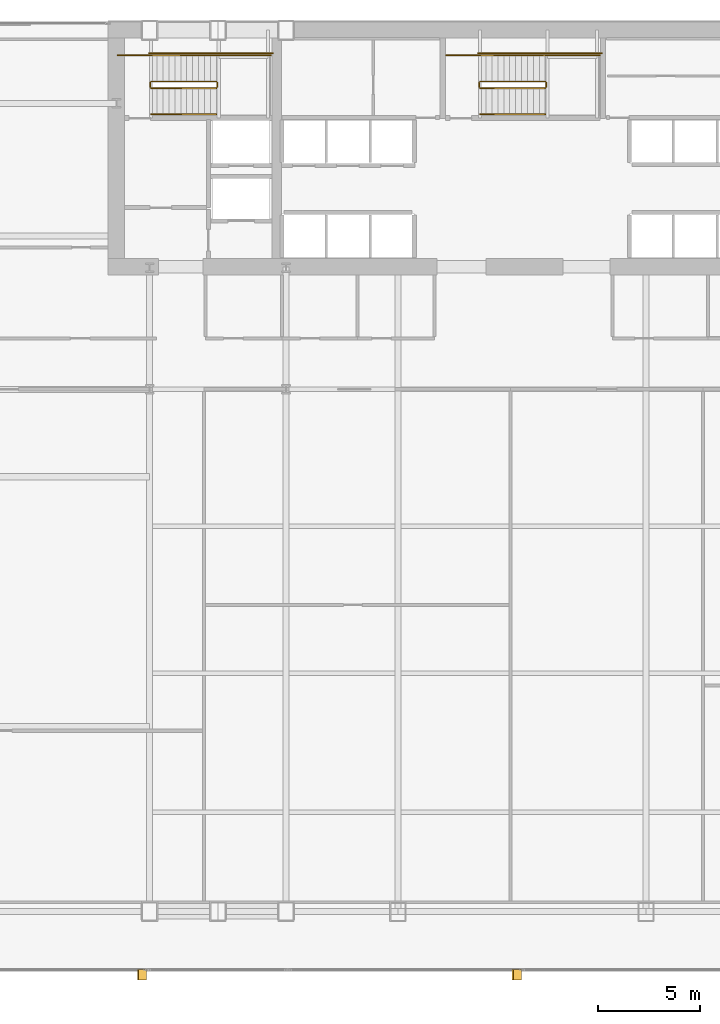
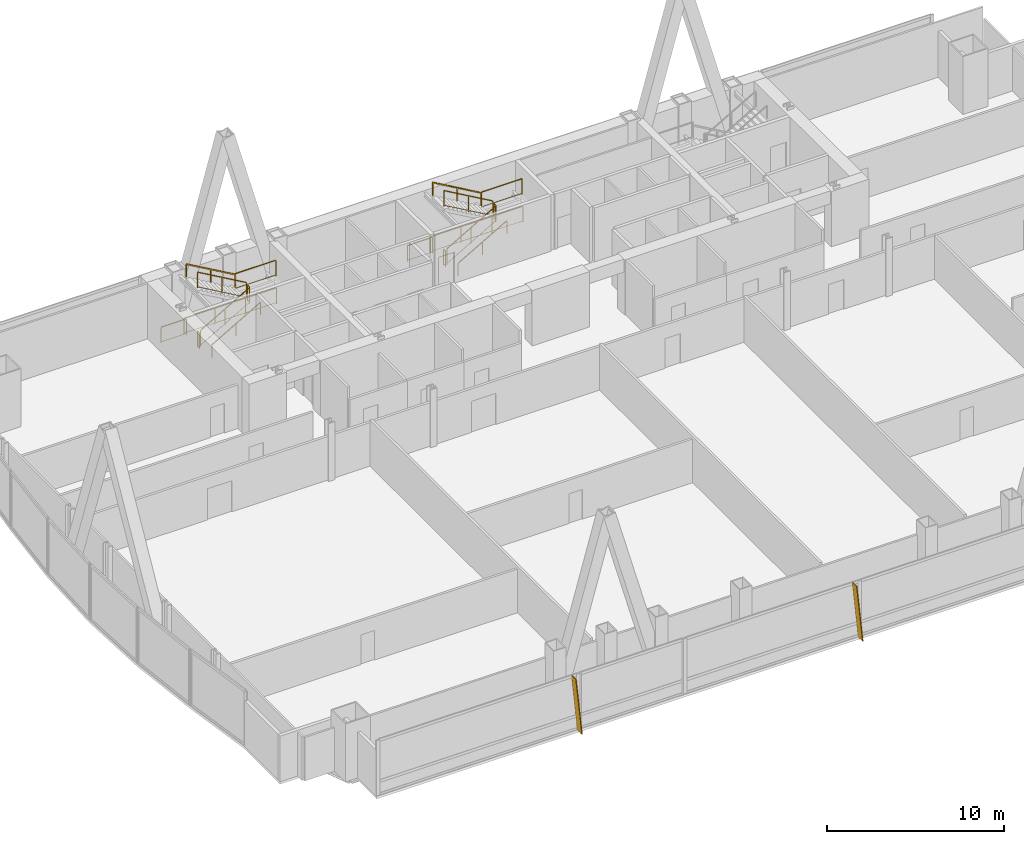
# One storey, part 33 of 35: 18 railings, 2 shading devices.
"""IFC4 building model written with IfcOpenShell, lengths in metres."""

import ifcopenshell
import ifcopenshell.guid

model = None  # the IFC model being written
_history = None  # IfcOwnerHistory: only IFC2X3 demands one
_inside = {}  # id of a spatial element -> (the spatial element, [elements in it])
_under = {}  # id of a project, library or spatial element -> (it, [spatial elements below it])
_declared = {}  # id of a project -> (the project, [libraries it declares])
_typed = {}  # id of a type object -> (the type object, [elements of that type])
_made_of = {}  # id of a material, layer set ... -> (it, [elements and type objects made of it])


def new_model(schema):
    """Start an empty IFC model of exactly this schema.

    Asked for "IFC4X3", IfcOpenShell would pick the latest addendum, in which some entities
    have other attributes; the version numbers below select the first issue.
    IFC2X3 requires an IfcOwnerHistory on every rooted entity: one is made here for all.
    """
    global model, _history
    if schema == "IFC4X3":
        model = ifcopenshell.file(schema_version=(4, 3, 0, 0))
    else:
        model = ifcopenshell.file(schema=schema)
    _inside.clear()
    _under.clear()
    _declared.clear()
    _typed.clear()
    _made_of.clear()
    _history = None
    if model.schema == "IFC2X3":
        org = make("IfcOrganization", Name="unknown")
        user = make(
            "IfcPersonAndOrganization",
            ThePerson=make("IfcPerson", FamilyName="unknown"),
            TheOrganization=org,
        )
        app = make(
            "IfcApplication",
            ApplicationDeveloper=org,
            Version="unknown",
            ApplicationFullName="unknown",
            ApplicationIdentifier="unknown",
        )
        _history = make(
            "IfcOwnerHistory",
            OwningUser=user,
            OwningApplication=app,
            ChangeAction="ADDED",
            CreationDate=0,
        )
    return model


def make(cls, **values):
    """One entity of the class cls with the attributes given. An attribute that is None is left unset."""
    return model.create_entity(
        cls, **{name: value for name, value in values.items() if value is not None}
    )


def rooted(cls, **values):
    """An entity with a GlobalId (a new one), such as an element, a storey or a relation."""
    return make(cls, GlobalId=ifcopenshell.guid.new(), OwnerHistory=_history, **values)


def si_unit(unit_type, name, prefix=None):
    """IfcSIUnit, for example si_unit("LENGTHUNIT", "METRE", prefix="MILLI")."""
    return make("IfcSIUnit", UnitType=unit_type, Prefix=prefix, Name=name)


def assignment(units):
    """IfcUnitAssignment: the units of a project."""
    return None if units is None else make("IfcUnitAssignment", Units=units)


def point(xyz):
    """IfcCartesianPoint."""
    return None if xyz is None else make("IfcCartesianPoint", Coordinates=xyz)


def direction(xyz):
    """IfcDirection."""
    return None if xyz is None else make("IfcDirection", DirectionRatios=xyz)


def frame(location, z_axis=None, x_axis=None):
    """IfcAxis2Placement3D, a coordinate frame: its origin and axes. An axis left out is left unset."""
    return make(
        "IfcAxis2Placement3D",
        Location=point(location),
        Axis=direction(z_axis),
        RefDirection=direction(x_axis),
    )


def frame_2d(location, x_axis=None):
    """IfcAxis2Placement2D, a coordinate frame in the plane: its origin and x axis."""
    return make(
        "IfcAxis2Placement2D", Location=point(location), RefDirection=direction(x_axis)
    )


def origin():
    """The frame at (0, 0, 0) with its axes left unset."""
    return frame((0.0, 0.0, 0.0))


def origin_2d():
    """The frame at (0, 0) in the plane with its x axis left unset."""
    return frame_2d((0.0, 0.0))


def place(relative_to, where):
    """IfcLocalPlacement: puts the frame where relative to a parent placement (None: the world)."""
    return make(
        "IfcLocalPlacement", PlacementRelTo=relative_to, RelativePlacement=where
    )


def context(
    kind, dimensions, precision=None, world=None, true_north=None, identifier=None
):
    """IfcGeometricRepresentationContext, for example the 3D "Model" context."""
    return make(
        "IfcGeometricRepresentationContext",
        ContextIdentifier=identifier,
        ContextType=kind,
        CoordinateSpaceDimension=dimensions,
        Precision=precision,
        WorldCoordinateSystem=world,
        TrueNorth=true_north,
    )


def subcontext(parent, identifier, kind, view, scale=None):
    """IfcGeometricRepresentationSubContext, for example "Body" below "Model"."""
    return make(
        "IfcGeometricRepresentationSubContext",
        ContextIdentifier=identifier,
        ContextType=kind,
        ParentContext=parent,
        TargetScale=scale,
        TargetView=view,
    )


def project(units=None, contexts=None):
    """IfcProject with its units and contexts."""
    return rooted(
        "IfcProject",
        Name="project",
        RepresentationContexts=contexts,
        UnitsInContext=assignment(units),
    )


def spatial(cls, under=None, at=None, **own):
    """A site, building, storey or space (cls), placed at a placement, below another one or the project."""
    s = rooted(cls, ObjectPlacement=at, **own)
    if under is not None:
        _under.setdefault(under.id(), (under, []))[1].append(s)
    return s


def polyline(points):
    """IfcPolyline through the points."""
    return make("IfcPolyline", Points=[point(p) for p in points])


def profile(cls, at=None, kind="AREA", **sizes):
    """A parametric profile (cls). Its sizes go by their IFC names, for example OverallWidth=200.0."""
    return make(cls, ProfileType=kind, Position=at, **sizes)


def rectangle(**sizes):
    """IfcRectangleProfileDef."""
    return profile("IfcRectangleProfileDef", **sizes)


def outline(outer, holes=None, kind="AREA"):
    """IfcArbitraryClosedProfileDef: a profile drawn as a closed curve; with holes, ...WithVoids."""
    if holes is None:
        return make("IfcArbitraryClosedProfileDef", ProfileType=kind, OuterCurve=outer)
    return make(
        "IfcArbitraryProfileDefWithVoids",
        ProfileType=kind,
        OuterCurve=outer,
        InnerCurves=holes,
    )


def extrude(swept, where, along, depth):
    """IfcExtrudedAreaSolid: the profile swept, set in the frame where, extruded along a direction by depth."""
    return make(
        "IfcExtrudedAreaSolid",
        SweptArea=swept,
        Position=where,
        ExtrudedDirection=direction(along),
        Depth=depth,
    )


def shape(context_of_items, identifier, shape_type, items):
    """IfcShapeRepresentation: the items that make up one representation, for example the "Body"."""
    return make(
        "IfcShapeRepresentation",
        ContextOfItems=context_of_items,
        RepresentationIdentifier=identifier,
        RepresentationType=shape_type,
        Items=items,
    )


def material(Name=None, Category=None):
    """IfcMaterial."""
    return make("IfcMaterial", Name=Name, Category=Category)


def layer(
    of_material, thickness, ventilated=None, Name=None, Category=None, Priority=None
):
    """IfcMaterialLayer: one layer of a wall or slab, of a material (None: an air gap)."""
    return make(
        "IfcMaterialLayer",
        Material=of_material,
        LayerThickness=thickness,
        IsVentilated=ventilated,
        Name=Name,
        Category=Category,
        Priority=Priority,
    )


def layer_set(layers, Name=None):
    """IfcMaterialLayerSet."""
    return make("IfcMaterialLayerSet", MaterialLayers=layers, LayerSetName=Name)


def made_of(thing, what):
    """Note that an element or type object is made of a material, layer set ...; save() writes the relation."""
    if what is not None:
        _made_of.setdefault(what.id(), (what, []))[1].append(thing)
    return thing


def type_object(cls, material=None, **own):
    """A type object (cls), such as IfcWallType, which elements share."""
    return made_of(rooted(cls, **own), material)


def element(
    cls,
    number,
    at=None,
    inside=None,
    cuts=None,
    type_object=None,
    material=None,
    context=None,
    identifier="Body",
    shape_type=None,
    held_by="IfcProductDefinitionShape",
    body=None,
    shapes=None,
    **own,
):
    """One element of the class cls, such as IfcWall. Its Tag is "e" and its number.

    at: its placement. inside: the storey or other place that contains it. cuts: it is an
    opening in that element (IfcRelVoidsElement). A single representation is given by context,
    identifier, shape_type and body (its items); several are given by shapes. held_by: the class
    of the entity that holds the representations. save() writes the other relations.
    """
    e = rooted(cls, Tag="e%d" % number, ObjectPlacement=at, **own)
    if body is not None:
        shapes = [shape(context, identifier, shape_type, body)]
    if shapes is not None:
        e.Representation = make(held_by, Representations=shapes)
    if inside is not None:
        _inside.setdefault(inside.id(), (inside, []))[1].append(e)
    if cuts is not None:
        rooted(
            "IfcRelVoidsElement", RelatingBuildingElement=cuts, RelatedOpeningElement=e
        )
    if type_object is not None:
        _typed.setdefault(type_object.id(), (type_object, []))[1].append(e)
    return made_of(e, material)


def aggregate(whole, parts):
    """IfcRelAggregates: a whole, such as a stair, and the parts it consists of."""
    return rooted("IfcRelAggregates", RelatingObject=whole, RelatedObjects=parts)


def save(model, path):
    """Write the relations noted so far, then the file.

    IfcRelAggregates (storeys below a building ...), IfcRelContainedInSpatialStructure (elements
    in a storey), IfcRelDefinesByType, IfcRelAssociatesMaterial and IfcRelDeclares: one each for
    every whole, place, type object, material and project.
    """
    for whole, parts in _under.values():
        aggregate(whole, parts)
    for where, things in _inside.values():
        rooted(
            "IfcRelContainedInSpatialStructure",
            RelatedElements=things,
            RelatingStructure=where,
        )
    for kind, things in _typed.values():
        rooted("IfcRelDefinesByType", RelatedObjects=things, RelatingType=kind)
    for what, things in _made_of.values():
        rooted("IfcRelAssociatesMaterial", RelatedObjects=things, RelatingMaterial=what)
    for by, libraries in _declared.values():
        rooted("IfcRelDeclares", RelatingContext=by, RelatedDefinitions=libraries)
    model.write(path)


model = new_model("IFC4")

# Units and contexts
model_context = context("Model", 3, precision=1e-05, world=origin(), true_north=direction((0.0, 1.0)))
body_context = subcontext(model_context, "Body", "Model", "MODEL_VIEW")
ifc_project = project(units=[si_unit("LENGTHUNIT", "METRE"), si_unit("AREAUNIT", "SQUARE_METRE"), si_unit("VOLUMEUNIT", "CUBIC_METRE"), si_unit("PLANEANGLEUNIT", "RADIAN"), si_unit("MASSUNIT", "GRAM", prefix="KILO")], contexts=[model_context])

# Site, building, storey
site_placement = place(None, origin())
site = spatial("IfcSite", under=ifc_project, at=site_placement, CompositionType="ELEMENT")
building_placement = place(site_placement, origin())
building = spatial("IfcBuilding", under=site, at=building_placement, Name="Khoronbel Lancet Exchange", CompositionType="ELEMENT")
storey_placement = place(building_placement, frame((0.0, 0.0, 37.800048828125)))
storey = spatial("IfcBuildingStorey", under=building, at=storey_placement, Name="L08", CompositionType="ELEMENT", Elevation=37.800048828125)

# Railings
ifc_material_1 = material(Name="Painted Steel Balustrade", Category="steel")
railing_type_1 = type_object("IfcRailingType", Name="RL-STG110", PredefinedType="GUARDRAIL", material=ifc_material_1)
railing_1_placement = place(storey_placement, frame((18.300048828125, 50.449951171875, 0.16650390625)))
element("IfcRailing", 1, at=railing_1_placement, inside=storey, type_object=railing_type_1, Name="L08 ST1 stair guard 1", PredefinedType="GUARDRAIL", context=body_context, shape_type="SweptSolid", body=[
    extrude(rectangle(XDim=0.048095703125, YDim=0.048095703125, at=origin_2d()), frame((0.0, 0.0, 1.09619140625), z_axis=(0.86699087805, 0.0, 0.498324008431), x_axis=(0.0, 1.0, 0.0)), (0.0, 0.0, 1.0), 3.679443359375),
    extrude(rectangle(XDim=0.02392578125, YDim=0.02392578125, at=origin_2d()), frame((0.0, 0.0, 0.080078125), z_axis=(0.86699087805, 0.0, 0.498324008431), x_axis=(0.0, 1.0, 0.0)), (0.0, 0.0, 1.0), 3.679443359375),
    extrude(rectangle(XDim=0.0419921875, YDim=0.0419921875, at=origin_2d()), origin(), (0.0, 0.0, 1.0), 1.072021484375),
    extrude(rectangle(XDim=0.0419921875, YDim=0.0419921875, at=origin_2d()), frame((1.594970703125, 0.0, 0.916748046875)), (0.0, 0.0, 1.0), 1.072021484375),
    extrude(rectangle(XDim=0.0419921875, YDim=0.0419921875, at=origin_2d()), frame((3.18994140625, 0.0, 1.83349609375)), (0.0, 0.0, 1.0), 1.072021484375),
])
railing_2_placement = place(storey_placement, frame((21.5400390625, 50.5, 2.0)))
element("IfcRailing", 2, at=railing_2_placement, inside=storey, type_object=railing_type_1, Name="L08 ST1 stair guard 2", PredefinedType="GUARDRAIL", context=body_context, shape_type="SweptSolid", body=[
    extrude(rectangle(XDim=0.048095703125, YDim=0.048095703125, at=origin_2d()), frame((0.0, 0.0, 1.09619140625), z_axis=(0.0, 1.0, 0.0), x_axis=(-1.0, 0.0, 0.0)), (0.0, 0.0, 1.0), 0.219970703125),
    extrude(rectangle(XDim=0.02392578125, YDim=0.02392578125, at=origin_2d()), frame((0.0, 0.0, 0.080078125), z_axis=(0.0, 1.0, 0.0), x_axis=(-1.0, 0.0, 0.0)), (0.0, 0.0, 1.0), 0.219970703125),
    extrude(rectangle(XDim=0.0419921875, YDim=0.0419921875, at=origin_2d()), origin(), (0.0, 0.0, 1.0), 1.072021484375),
    extrude(rectangle(XDim=0.0419921875, YDim=0.0419921875, at=origin_2d()), frame((0.0, 0.219970703125, 0.0)), (0.0, 0.0, 1.0), 1.072021484375),
])
railing_3_placement = place(storey_placement, frame((21.489990234375, 52.050048828125, 2.0)))
element("IfcRailing", 3, at=railing_3_placement, inside=storey, type_object=railing_type_1, Name="L08 ST1 stair guard 3", PredefinedType="GUARDRAIL", context=body_context, shape_type="SweptSolid", body=[
    extrude(rectangle(XDim=0.048095703125, YDim=0.048095703125, at=origin_2d()), frame((0.0, 0.0, 1.09619140625), z_axis=(1.0, 0.0, 0.0), x_axis=(0.0, 1.0, 0.0)), (0.0, 0.0, 1.0), 2.659912109375),
    extrude(rectangle(XDim=0.02392578125, YDim=0.02392578125, at=origin_2d()), frame((0.0, 0.0, 0.080078125), z_axis=(1.0, 0.0, 0.0), x_axis=(0.0, 1.0, 0.0)), (0.0, 0.0, 1.0), 2.659912109375),
    extrude(rectangle(XDim=0.0419921875, YDim=0.0419921875, at=origin_2d()), origin(), (0.0, 0.0, 1.0), 1.072021484375),
    extrude(rectangle(XDim=0.0419921875, YDim=0.0419921875, at=origin_2d()), frame((2.659912109375, 0.0, 0.0)), (0.0, 0.0, 1.0), 1.072021484375),
])
railing_4_placement = place(storey_placement, frame((21.489990234375, 50.77001953125, 2.16650390625)))
element("IfcRailing", 4, at=railing_4_placement, inside=storey, type_object=railing_type_1, Name="L08 ST1 stair guard 4", PredefinedType="GUARDRAIL", context=body_context, shape_type="SweptSolid", body=[
    extrude(rectangle(XDim=0.048095703125, YDim=0.048095703125, at=origin_2d()), frame((0.0, 0.0, 1.09619140625), z_axis=(-0.86699087805, 0.0, 0.498324008431), x_axis=(0.0, -1.0, 0.0)), (0.0, 0.0, 1.0), 3.679443359375),
    extrude(rectangle(XDim=0.02392578125, YDim=0.02392578125, at=origin_2d()), frame((0.0, 0.0, 0.080078125), z_axis=(-0.86699087805, 0.0, 0.498324008431), x_axis=(0.0, -1.0, 0.0)), (0.0, 0.0, 1.0), 3.679443359375),
    extrude(rectangle(XDim=0.0419921875, YDim=0.0419921875, at=origin_2d()), origin(), (0.0, 0.0, 1.0), 1.072021484375),
    extrude(rectangle(XDim=0.0419921875, YDim=0.0419921875, at=origin_2d()), frame((-1.594970703125, 0.0, 0.916748046875)), (0.0, 0.0, 1.0), 1.072021484375),
    extrude(rectangle(XDim=0.0419921875, YDim=0.0419921875, at=origin_2d()), frame((-3.18994140625, 0.0, 1.83349609375)), (0.0, 0.0, 1.0), 1.072021484375),
])
railing_5_placement = place(storey_placement, frame((18.25, 50.5, 0.0)))
element("IfcRailing", 5, at=railing_5_placement, inside=storey, type_object=railing_type_1, Name="L08 ST1 stair guard 5", PredefinedType="GUARDRAIL", context=body_context, shape_type="SweptSolid", body=[
    extrude(rectangle(XDim=0.048095703125, YDim=0.048095703125, at=origin_2d()), frame((0.0, 0.0, 1.09619140625), z_axis=(0.0, 1.0, 0.0), x_axis=(-1.0, 0.0, 0.0)), (0.0, 0.0, 1.0), 0.219970703125),
    extrude(rectangle(XDim=0.02392578125, YDim=0.02392578125, at=origin_2d()), frame((0.0, 0.0, 0.080078125), z_axis=(0.0, 1.0, 0.0), x_axis=(-1.0, 0.0, 0.0)), (0.0, 0.0, 1.0), 0.219970703125),
    extrude(rectangle(XDim=0.0419921875, YDim=0.0419921875, at=origin_2d()), origin(), (0.0, 0.0, 1.0), 1.072021484375),
    extrude(rectangle(XDim=0.0419921875, YDim=0.0419921875, at=origin_2d()), frame((0.0, 0.219970703125, 0.0)), (0.0, 0.0, 1.0), 1.072021484375),
])
railing_6_placement = place(storey_placement, frame((16.64990234375, 52.050048828125, 0.0)))
element("IfcRailing", 6, at=railing_6_placement, inside=storey, type_object=railing_type_1, Name="L08 ST1 stair guard 6", PredefinedType="GUARDRAIL", context=body_context, shape_type="SweptSolid", body=[
    extrude(rectangle(XDim=0.048095703125, YDim=0.048095703125, at=origin_2d()), frame((0.0, 0.0, 1.09619140625), z_axis=(1.0, 0.0, 0.0), x_axis=(0.0, 1.0, 0.0)), (0.0, 0.0, 1.0), 1.650146484375),
    extrude(rectangle(XDim=0.02392578125, YDim=0.02392578125, at=origin_2d()), frame((0.0, 0.0, 0.080078125), z_axis=(1.0, 0.0, 0.0), x_axis=(0.0, 1.0, 0.0)), (0.0, 0.0, 1.0), 1.650146484375),
    extrude(rectangle(XDim=0.0419921875, YDim=0.0419921875, at=origin_2d()), origin(), (0.0, 0.0, 1.0), 1.072021484375),
    extrude(rectangle(XDim=0.0419921875, YDim=0.0419921875, at=origin_2d()), frame((1.650146484375, 0.0, 0.0)), (0.0, 0.0, 1.0), 1.072021484375),
])
railing_7_placement = place(storey_placement, frame((18.199951171875, 52.14990234375, 0.0)))
element("IfcRailing", 7, at=railing_7_placement, inside=storey, type_object=railing_type_1, Name="L08 ST1 stair guard 7", PredefinedType="GUARDRAIL", context=body_context, shape_type="SweptSolid", body=[
    extrude(rectangle(XDim=0.048095703125, YDim=0.048095703125, at=origin_2d()), frame((0.0, 0.0, 1.09619140625), z_axis=(1.0, 0.0, 0.0), x_axis=(0.0, 1.0, 0.0)), (0.0, 0.0, 1.0), 6.050048828125),
    extrude(rectangle(XDim=0.02392578125, YDim=0.02392578125, at=origin_2d()), frame((0.0, 0.0, 0.080078125), z_axis=(1.0, 0.0, 0.0), x_axis=(0.0, 1.0, 0.0)), (0.0, 0.0, 1.0), 6.050048828125),
    extrude(rectangle(XDim=0.0419921875, YDim=0.0419921875, at=origin_2d()), origin(), (0.0, 0.0, 1.0), 1.072021484375),
    extrude(rectangle(XDim=0.0419921875, YDim=0.0419921875, at=origin_2d()), frame((2.0166015625, 0.0, 0.0)), (0.0, 0.0, 1.0), 1.072021484375),
    extrude(rectangle(XDim=0.0419921875, YDim=0.0419921875, at=origin_2d()), frame((4.033447265625, 0.0, 0.0)), (0.0, 0.0, 1.0), 1.072021484375),
    extrude(rectangle(XDim=0.0419921875, YDim=0.0419921875, at=origin_2d()), frame((6.050048828125, 0.0, 0.0)), (0.0, 0.0, 1.0), 1.072021484375),
])
railing_8_placement = place(storey_placement, frame((34.39990234375, 50.449951171875, 0.16650390625)))
element("IfcRailing", 8, at=railing_8_placement, inside=storey, type_object=railing_type_1, Name="L08 ST3 stair guard 1", PredefinedType="GUARDRAIL", context=body_context, shape_type="SweptSolid", body=[
    extrude(rectangle(XDim=0.048095703125, YDim=0.048095703125, at=origin_2d()), frame((0.0, 0.0, 1.09619140625), z_axis=(0.867007354286, 0.0, 0.498295341753), x_axis=(0.0, 1.0, 0.0)), (0.0, 0.0, 1.0), 3.679443359375),
    extrude(rectangle(XDim=0.02392578125, YDim=0.02392578125, at=origin_2d()), frame((0.0, 0.0, 0.080078125), z_axis=(0.867007354286, 0.0, 0.498295341753), x_axis=(0.0, 1.0, 0.0)), (0.0, 0.0, 1.0), 3.679443359375),
    extrude(rectangle(XDim=0.0419921875, YDim=0.0419921875, at=origin_2d()), origin(), (0.0, 0.0, 1.0), 1.072021484375),
    extrude(rectangle(XDim=0.0419921875, YDim=0.0419921875, at=origin_2d()), frame((1.59521484375, 0.0, 0.916748046875)), (0.0, 0.0, 1.0), 1.072021484375),
    extrude(rectangle(XDim=0.0419921875, YDim=0.0419921875, at=origin_2d()), frame((3.190185546875, 0.0, 1.83349609375)), (0.0, 0.0, 1.0), 1.072021484375),
])
railing_9_placement = place(storey_placement, frame((37.639892578125, 50.5, 2.0)))
element("IfcRailing", 9, at=railing_9_placement, inside=storey, type_object=railing_type_1, Name="L08 ST3 stair guard 2", PredefinedType="GUARDRAIL", context=body_context, shape_type="SweptSolid", body=[
    extrude(rectangle(XDim=0.048095703125, YDim=0.048095703125, at=origin_2d()), frame((0.0, 0.0, 1.09619140625), z_axis=(0.0, 1.0, 0.0), x_axis=(-1.0, 0.0, 0.0)), (0.0, 0.0, 1.0), 0.219970703125),
    extrude(rectangle(XDim=0.02392578125, YDim=0.02392578125, at=origin_2d()), frame((0.0, 0.0, 0.080078125), z_axis=(0.0, 1.0, 0.0), x_axis=(-1.0, 0.0, 0.0)), (0.0, 0.0, 1.0), 0.219970703125),
    extrude(rectangle(XDim=0.0419921875, YDim=0.0419921875, at=origin_2d()), origin(), (0.0, 0.0, 1.0), 1.072021484375),
    extrude(rectangle(XDim=0.0419921875, YDim=0.0419921875, at=origin_2d()), frame((0.0, 0.219970703125, 0.0)), (0.0, 0.0, 1.0), 1.072021484375),
])
railing_10_placement = place(storey_placement, frame((37.590087890625, 52.050048828125, 2.0)))
element("IfcRailing", 10, at=railing_10_placement, inside=storey, type_object=railing_type_1, Name="L08 ST3 stair guard 3", PredefinedType="GUARDRAIL", context=body_context, shape_type="SweptSolid", body=[
    extrude(rectangle(XDim=0.048095703125, YDim=0.048095703125, at=origin_2d()), frame((0.0, 0.0, 1.09619140625), z_axis=(1.0, 0.0, 0.0), x_axis=(0.0, 1.0, 0.0)), (0.0, 0.0, 1.0), 2.659912109375),
    extrude(rectangle(XDim=0.02392578125, YDim=0.02392578125, at=origin_2d()), frame((0.0, 0.0, 0.080078125), z_axis=(1.0, 0.0, 0.0), x_axis=(0.0, 1.0, 0.0)), (0.0, 0.0, 1.0), 2.659912109375),
    extrude(rectangle(XDim=0.0419921875, YDim=0.0419921875, at=origin_2d()), origin(), (0.0, 0.0, 1.0), 1.072021484375),
    extrude(rectangle(XDim=0.0419921875, YDim=0.0419921875, at=origin_2d()), frame((2.659912109375, 0.0, 0.0)), (0.0, 0.0, 1.0), 1.072021484375),
])
railing_11_placement = place(storey_placement, frame((37.590087890625, 50.77001953125, 2.16650390625)))
element("IfcRailing", 11, at=railing_11_placement, inside=storey, type_object=railing_type_1, Name="L08 ST3 stair guard 4", PredefinedType="GUARDRAIL", context=body_context, shape_type="SweptSolid", body=[
    extrude(rectangle(XDim=0.048095703125, YDim=0.048095703125, at=origin_2d()), frame((0.0, 0.0, 1.09619140625), z_axis=(-0.867007354286, 0.0, 0.498295341753), x_axis=(0.0, -1.0, 0.0)), (0.0, 0.0, 1.0), 3.679443359375),
    extrude(rectangle(XDim=0.02392578125, YDim=0.02392578125, at=origin_2d()), frame((0.0, 0.0, 0.080078125), z_axis=(-0.867007354286, 0.0, 0.498295341753), x_axis=(0.0, -1.0, 0.0)), (0.0, 0.0, 1.0), 3.679443359375),
    extrude(rectangle(XDim=0.0419921875, YDim=0.0419921875, at=origin_2d()), origin(), (0.0, 0.0, 1.0), 1.072021484375),
    extrude(rectangle(XDim=0.0419921875, YDim=0.0419921875, at=origin_2d()), frame((-1.59521484375, 0.0, 0.916748046875)), (0.0, 0.0, 1.0), 1.072021484375),
    extrude(rectangle(XDim=0.0419921875, YDim=0.0419921875, at=origin_2d()), frame((-3.190185546875, 0.0, 1.83349609375)), (0.0, 0.0, 1.0), 1.072021484375),
])
railing_12_placement = place(storey_placement, frame((34.35009765625, 50.5, 0.0)))
element("IfcRailing", 12, at=railing_12_placement, inside=storey, type_object=railing_type_1, Name="L08 ST3 stair guard 5", PredefinedType="GUARDRAIL", context=body_context, shape_type="SweptSolid", body=[
    extrude(rectangle(XDim=0.048095703125, YDim=0.048095703125, at=origin_2d()), frame((0.0, 0.0, 1.09619140625), z_axis=(0.0, 1.0, 0.0), x_axis=(-1.0, 0.0, 0.0)), (0.0, 0.0, 1.0), 0.219970703125),
    extrude(rectangle(XDim=0.02392578125, YDim=0.02392578125, at=origin_2d()), frame((0.0, 0.0, 0.080078125), z_axis=(0.0, 1.0, 0.0), x_axis=(-1.0, 0.0, 0.0)), (0.0, 0.0, 1.0), 0.219970703125),
    extrude(rectangle(XDim=0.0419921875, YDim=0.0419921875, at=origin_2d()), origin(), (0.0, 0.0, 1.0), 1.072021484375),
    extrude(rectangle(XDim=0.0419921875, YDim=0.0419921875, at=origin_2d()), frame((0.0, 0.219970703125, 0.0)), (0.0, 0.0, 1.0), 1.072021484375),
])
railing_13_placement = place(storey_placement, frame((32.75, 52.050048828125, 0.0)))
element("IfcRailing", 13, at=railing_13_placement, inside=storey, type_object=railing_type_1, Name="L08 ST3 stair guard 6", PredefinedType="GUARDRAIL", context=body_context, shape_type="SweptSolid", body=[
    extrude(rectangle(XDim=0.048095703125, YDim=0.048095703125, at=origin_2d()), frame((0.0, 0.0, 1.09619140625), z_axis=(1.0, 0.0, 0.0), x_axis=(0.0, 1.0, 0.0)), (0.0, 0.0, 1.0), 1.64990234375),
    extrude(rectangle(XDim=0.02392578125, YDim=0.02392578125, at=origin_2d()), frame((0.0, 0.0, 0.080078125), z_axis=(1.0, 0.0, 0.0), x_axis=(0.0, 1.0, 0.0)), (0.0, 0.0, 1.0), 1.64990234375),
    extrude(rectangle(XDim=0.0419921875, YDim=0.0419921875, at=origin_2d()), origin(), (0.0, 0.0, 1.0), 1.072021484375),
    extrude(rectangle(XDim=0.0419921875, YDim=0.0419921875, at=origin_2d()), frame((1.64990234375, 0.0, 0.0)), (0.0, 0.0, 1.0), 1.072021484375),
])
railing_14_placement = place(storey_placement, frame((34.300048828125, 52.14990234375, 0.0)))
element("IfcRailing", 14, at=railing_14_placement, inside=storey, type_object=railing_type_1, Name="L08 ST3 stair guard 7", PredefinedType="GUARDRAIL", context=body_context, shape_type="SweptSolid", body=[
    extrude(rectangle(XDim=0.048095703125, YDim=0.048095703125, at=origin_2d()), frame((0.0, 0.0, 1.09619140625), z_axis=(1.0, 0.0, 0.0), x_axis=(0.0, 1.0, 0.0)), (0.0, 0.0, 1.0), 6.050048828125),
    extrude(rectangle(XDim=0.02392578125, YDim=0.02392578125, at=origin_2d()), frame((0.0, 0.0, 0.080078125), z_axis=(1.0, 0.0, 0.0), x_axis=(0.0, 1.0, 0.0)), (0.0, 0.0, 1.0), 6.050048828125),
    extrude(rectangle(XDim=0.0419921875, YDim=0.0419921875, at=origin_2d()), origin(), (0.0, 0.0, 1.0), 1.072021484375),
    extrude(rectangle(XDim=0.0419921875, YDim=0.0419921875, at=origin_2d()), frame((2.0166015625, 0.0, 0.0)), (0.0, 0.0, 1.0), 1.072021484375),
    extrude(rectangle(XDim=0.0419921875, YDim=0.0419921875, at=origin_2d()), frame((4.033447265625, 0.0, 0.0)), (0.0, 0.0, 1.0), 1.072021484375),
    extrude(rectangle(XDim=0.0419921875, YDim=0.0419921875, at=origin_2d()), frame((6.050048828125, 0.0, 0.0)), (0.0, 0.0, 1.0), 1.072021484375),
])
ifc_material_2 = material(Name="Brushed Stainless Steel 316", Category="steel")
railing_type_2 = type_object("IfcRailingType", Name="RL-STH92", PredefinedType="HANDRAIL", material=ifc_material_2)
railing_15_placement = place(storey_placement, frame((18.300048828125, 49.169921875, 0.16650390625)))
element("IfcRailing", 15, at=railing_15_placement, inside=storey, type_object=railing_type_2, Name="L08 ST1 stair handrail 1", PredefinedType="HANDRAIL", context=body_context, shape_type="SweptSolid", body=[
    extrude(rectangle(XDim=0.048095703125, YDim=0.048095703125, at=origin_2d()), frame((0.0, 0.0, 0.8759765625), z_axis=(0.86699087805, 0.0, 0.498324008431), x_axis=(0.0, 1.0, 0.0)), (0.0, 0.0, 1.0), 3.679443359375),
    extrude(rectangle(XDim=0.0419921875, YDim=0.0419921875, at=origin_2d()), origin(), (0.0, 0.0, 1.0), 0.851806640625),
    extrude(rectangle(XDim=0.0419921875, YDim=0.0419921875, at=origin_2d()), frame((1.594970703125, 0.0, 0.916748046875)), (0.0, 0.0, 1.0), 0.851806640625),
    extrude(rectangle(XDim=0.0419921875, YDim=0.0419921875, at=origin_2d()), frame((3.18994140625, 0.0, 1.83349609375)), (0.0, 0.0, 1.0), 0.851806640625),
])
railing_16_placement = place(storey_placement, frame((21.489990234375, 52.050048828125, 2.16650390625)))
element("IfcRailing", 16, at=railing_16_placement, inside=storey, type_object=railing_type_2, Name="L08 ST1 stair handrail 2", PredefinedType="HANDRAIL", context=body_context, shape_type="SweptSolid", body=[
    extrude(rectangle(XDim=0.048095703125, YDim=0.048095703125, at=origin_2d()), frame((0.0, 0.0, 0.8759765625), z_axis=(-0.86699087805, 0.0, 0.498324008431), x_axis=(0.0, -1.0, 0.0)), (0.0, 0.0, 1.0), 3.679443359375),
    extrude(rectangle(XDim=0.0419921875, YDim=0.0419921875, at=origin_2d()), origin(), (0.0, 0.0, 1.0), 0.851806640625),
    extrude(rectangle(XDim=0.0419921875, YDim=0.0419921875, at=origin_2d()), frame((-1.594970703125, 0.0, 0.916748046875)), (0.0, 0.0, 1.0), 0.851806640625),
    extrude(rectangle(XDim=0.0419921875, YDim=0.0419921875, at=origin_2d()), frame((-3.18994140625, 0.0, 1.83349609375)), (0.0, 0.0, 1.0), 0.851806640625),
])
railing_17_placement = place(storey_placement, frame((34.39990234375, 49.169921875, 0.16650390625)))
element("IfcRailing", 17, at=railing_17_placement, inside=storey, type_object=railing_type_2, Name="L08 ST3 stair handrail 1", PredefinedType="HANDRAIL", context=body_context, shape_type="SweptSolid", body=[
    extrude(rectangle(XDim=0.048095703125, YDim=0.048095703125, at=origin_2d()), frame((0.0, 0.0, 0.8759765625), z_axis=(0.867007354286, 0.0, 0.498295341753), x_axis=(0.0, 1.0, 0.0)), (0.0, 0.0, 1.0), 3.679443359375),
    extrude(rectangle(XDim=0.0419921875, YDim=0.0419921875, at=origin_2d()), origin(), (0.0, 0.0, 1.0), 0.851806640625),
    extrude(rectangle(XDim=0.0419921875, YDim=0.0419921875, at=origin_2d()), frame((1.59521484375, 0.0, 0.916748046875)), (0.0, 0.0, 1.0), 0.851806640625),
    extrude(rectangle(XDim=0.0419921875, YDim=0.0419921875, at=origin_2d()), frame((3.190185546875, 0.0, 1.83349609375)), (0.0, 0.0, 1.0), 0.851806640625),
])
railing_18_placement = place(storey_placement, frame((37.590087890625, 52.050048828125, 2.16650390625)))
element("IfcRailing", 18, at=railing_18_placement, inside=storey, type_object=railing_type_2, Name="L08 ST3 stair handrail 2", PredefinedType="HANDRAIL", context=body_context, shape_type="SweptSolid", body=[
    extrude(rectangle(XDim=0.048095703125, YDim=0.048095703125, at=origin_2d()), frame((0.0, 0.0, 0.8759765625), z_axis=(-0.867007354286, 0.0, 0.498295341753), x_axis=(0.0, -1.0, 0.0)), (0.0, 0.0, 1.0), 3.679443359375),
    extrude(rectangle(XDim=0.0419921875, YDim=0.0419921875, at=origin_2d()), origin(), (0.0, 0.0, 1.0), 0.851806640625),
    extrude(rectangle(XDim=0.0419921875, YDim=0.0419921875, at=origin_2d()), frame((-1.59521484375, 0.0, 0.916748046875)), (0.0, 0.0, 1.0), 0.851806640625),
    extrude(rectangle(XDim=0.0419921875, YDim=0.0419921875, at=origin_2d()), frame((-3.190185546875, 0.0, 1.83349609375)), (0.0, 0.0, 1.0), 0.851806640625),
])

# Shading devices
ifc_material_3 = material(Name="Bronze-Anodised Aluminium 6063-T6", Category="aluminium")
ifc_layer = layer(ifc_material_3, 0.054931640625, Name="Bronze-Anodised Aluminium 6063-T6")
ifc_layer_set = layer_set([ifc_layer], Name="Bronze-Anodised Aluminium 6063-T6")
shading_device_type = type_object("IfcShadingDeviceType", Name="SHD-FIN1", PredefinedType="USERDEFINED", material=ifc_layer_set)
for number, where, z_axis, x_axis, name in (
    (19, (18.072509765625, 7.31005859375, -0.080078125), (0.995011517869, 0.0, 0.099760108806), (0.0, -1.0, 0.0), "Slanted bronze solar fin CW-L08-SWV-1"),
    (20, (36.422607421875, 7.31005859375, -0.080078125), (0.995011517869, 0.0, 0.099760108806), (0.0, -1.0, 0.0), "Slanted bronze solar fin CW-L08-SCV-1"),
):
    element("IfcShadingDevice", number, at=place(storey_placement, frame(where, z_axis=z_axis, x_axis=x_axis)), inside=storey, type_object=shading_device_type, Name=name, ObjectType="FIN", PredefinedType="USERDEFINED", context=body_context, shape_type="SweptSolid", body=[
        extrude(outline(polyline([(0.0, 0.0), (0.52001953125, 0.0), (0.52001953125, -3.959716796875), (0.0, -3.959716796875), (0.0, 0.0)])), origin(), (0.0, 0.0, -1.0), 0.054931640625),
    ])

save(model, "model.ifc")
